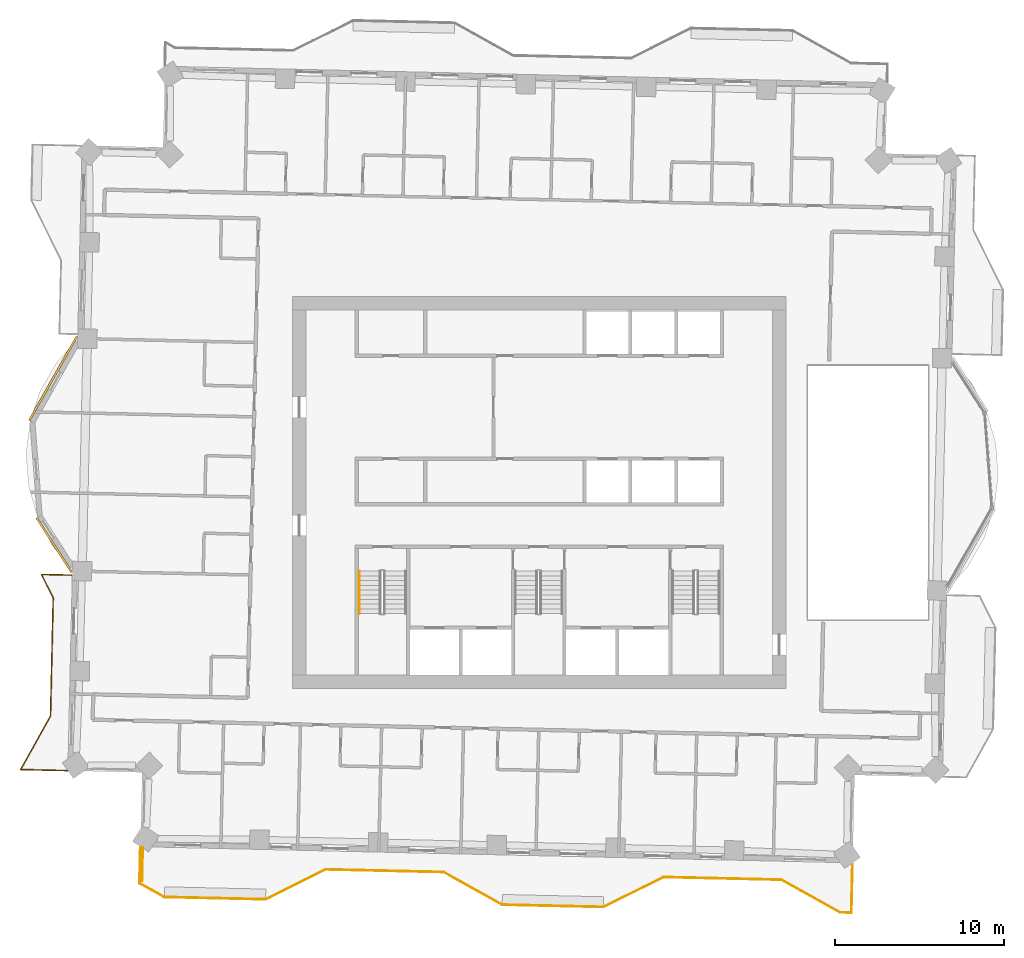
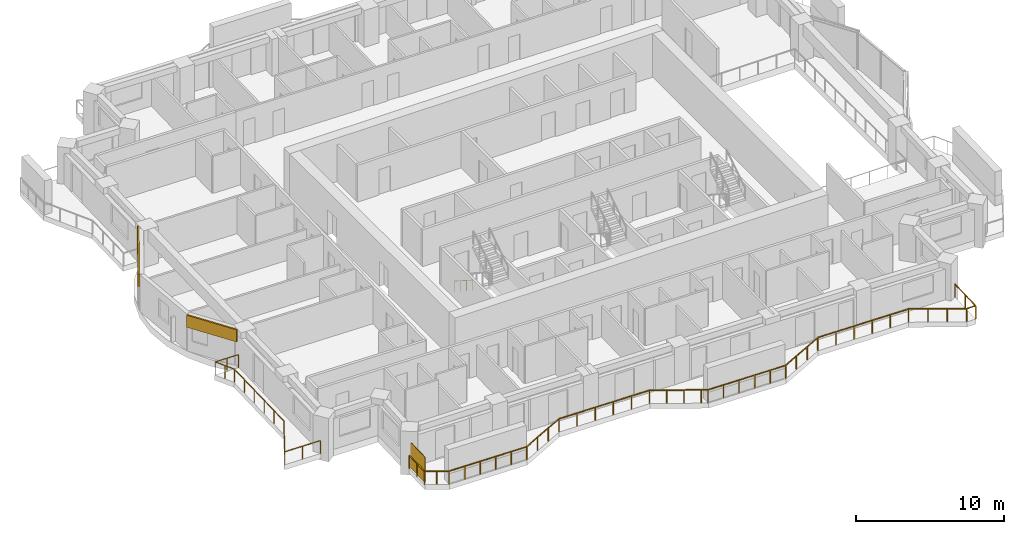
# One storey, part 11 of 14: 3 railings, 2 coverings, 1 shading device.
"""IFC4 building model written with IfcOpenShell, lengths in metres."""

import ifcopenshell
import ifcopenshell.guid

model = None  # the IFC model being written
_history = None  # IfcOwnerHistory: only IFC2X3 demands one
_inside = {}  # id of a spatial element -> (the spatial element, [elements in it])
_under = {}  # id of a project, library or spatial element -> (it, [spatial elements below it])
_declared = {}  # id of a project -> (the project, [libraries it declares])
_typed = {}  # id of a type object -> (the type object, [elements of that type])
_made_of = {}  # id of a material, layer set ... -> (it, [elements and type objects made of it])


def new_model(schema):
    """Start an empty IFC model of exactly this schema.

    Asked for "IFC4X3", IfcOpenShell would pick the latest addendum, in which some entities
    have other attributes; the version numbers below select the first issue.
    IFC2X3 requires an IfcOwnerHistory on every rooted entity: one is made here for all.
    """
    global model, _history
    if schema == "IFC4X3":
        model = ifcopenshell.file(schema_version=(4, 3, 0, 0))
    else:
        model = ifcopenshell.file(schema=schema)
    _inside.clear()
    _under.clear()
    _declared.clear()
    _typed.clear()
    _made_of.clear()
    _history = None
    if model.schema == "IFC2X3":
        org = make("IfcOrganization", Name="unknown")
        user = make(
            "IfcPersonAndOrganization",
            ThePerson=make("IfcPerson", FamilyName="unknown"),
            TheOrganization=org,
        )
        app = make(
            "IfcApplication",
            ApplicationDeveloper=org,
            Version="unknown",
            ApplicationFullName="unknown",
            ApplicationIdentifier="unknown",
        )
        _history = make(
            "IfcOwnerHistory",
            OwningUser=user,
            OwningApplication=app,
            ChangeAction="ADDED",
            CreationDate=0,
        )
    return model


def make(cls, **values):
    """One entity of the class cls with the attributes given. An attribute that is None is left unset."""
    return model.create_entity(
        cls, **{name: value for name, value in values.items() if value is not None}
    )


def rooted(cls, **values):
    """An entity with a GlobalId (a new one), such as an element, a storey or a relation."""
    return make(cls, GlobalId=ifcopenshell.guid.new(), OwnerHistory=_history, **values)


def si_unit(unit_type, name, prefix=None):
    """IfcSIUnit, for example si_unit("LENGTHUNIT", "METRE", prefix="MILLI")."""
    return make("IfcSIUnit", UnitType=unit_type, Prefix=prefix, Name=name)


def assignment(units):
    """IfcUnitAssignment: the units of a project."""
    return None if units is None else make("IfcUnitAssignment", Units=units)


def point(xyz):
    """IfcCartesianPoint."""
    return None if xyz is None else make("IfcCartesianPoint", Coordinates=xyz)


def direction(xyz):
    """IfcDirection."""
    return None if xyz is None else make("IfcDirection", DirectionRatios=xyz)


def frame(location, z_axis=None, x_axis=None):
    """IfcAxis2Placement3D, a coordinate frame: its origin and axes. An axis left out is left unset."""
    return make(
        "IfcAxis2Placement3D",
        Location=point(location),
        Axis=direction(z_axis),
        RefDirection=direction(x_axis),
    )


def frame_2d(location, x_axis=None):
    """IfcAxis2Placement2D, a coordinate frame in the plane: its origin and x axis."""
    return make(
        "IfcAxis2Placement2D", Location=point(location), RefDirection=direction(x_axis)
    )


def origin():
    """The frame at (0, 0, 0) with its axes left unset."""
    return frame((0.0, 0.0, 0.0))


def origin_2d():
    """The frame at (0, 0) in the plane with its x axis left unset."""
    return frame_2d((0.0, 0.0))


def place(relative_to, where):
    """IfcLocalPlacement: puts the frame where relative to a parent placement (None: the world)."""
    return make(
        "IfcLocalPlacement", PlacementRelTo=relative_to, RelativePlacement=where
    )


def context(
    kind, dimensions, precision=None, world=None, true_north=None, identifier=None
):
    """IfcGeometricRepresentationContext, for example the 3D "Model" context."""
    return make(
        "IfcGeometricRepresentationContext",
        ContextIdentifier=identifier,
        ContextType=kind,
        CoordinateSpaceDimension=dimensions,
        Precision=precision,
        WorldCoordinateSystem=world,
        TrueNorth=true_north,
    )


def subcontext(parent, identifier, kind, view, scale=None):
    """IfcGeometricRepresentationSubContext, for example "Body" below "Model"."""
    return make(
        "IfcGeometricRepresentationSubContext",
        ContextIdentifier=identifier,
        ContextType=kind,
        ParentContext=parent,
        TargetScale=scale,
        TargetView=view,
    )


def project(units=None, contexts=None):
    """IfcProject with its units and contexts."""
    return rooted(
        "IfcProject",
        Name="project",
        RepresentationContexts=contexts,
        UnitsInContext=assignment(units),
    )


def spatial(cls, under=None, at=None, **own):
    """A site, building, storey or space (cls), placed at a placement, below another one or the project."""
    s = rooted(cls, ObjectPlacement=at, **own)
    if under is not None:
        _under.setdefault(under.id(), (under, []))[1].append(s)
    return s


def profile(cls, at=None, kind="AREA", **sizes):
    """A parametric profile (cls). Its sizes go by their IFC names, for example OverallWidth=200.0."""
    return make(cls, ProfileType=kind, Position=at, **sizes)


def rectangle(**sizes):
    """IfcRectangleProfileDef."""
    return profile("IfcRectangleProfileDef", **sizes)


def circle(**sizes):
    """IfcCircleProfileDef."""
    return profile("IfcCircleProfileDef", **sizes)


def extrude(swept, where, along, depth):
    """IfcExtrudedAreaSolid: the profile swept, set in the frame where, extruded along a direction by depth."""
    return make(
        "IfcExtrudedAreaSolid",
        SweptArea=swept,
        Position=where,
        ExtrudedDirection=direction(along),
        Depth=depth,
    )


def shape(context_of_items, identifier, shape_type, items):
    """IfcShapeRepresentation: the items that make up one representation, for example the "Body"."""
    return make(
        "IfcShapeRepresentation",
        ContextOfItems=context_of_items,
        RepresentationIdentifier=identifier,
        RepresentationType=shape_type,
        Items=items,
    )


def material(Name=None, Category=None):
    """IfcMaterial."""
    return make("IfcMaterial", Name=Name, Category=Category)


def layer(
    of_material, thickness, ventilated=None, Name=None, Category=None, Priority=None
):
    """IfcMaterialLayer: one layer of a wall or slab, of a material (None: an air gap)."""
    return make(
        "IfcMaterialLayer",
        Material=of_material,
        LayerThickness=thickness,
        IsVentilated=ventilated,
        Name=Name,
        Category=Category,
        Priority=Priority,
    )


def layer_set(layers, Name=None):
    """IfcMaterialLayerSet."""
    return make("IfcMaterialLayerSet", MaterialLayers=layers, LayerSetName=Name)


def made_of(thing, what):
    """Note that an element or type object is made of a material, layer set ...; save() writes the relation."""
    if what is not None:
        _made_of.setdefault(what.id(), (what, []))[1].append(thing)
    return thing


def type_object(cls, material=None, **own):
    """A type object (cls), such as IfcWallType, which elements share."""
    return made_of(rooted(cls, **own), material)


def element(
    cls,
    number,
    at=None,
    inside=None,
    cuts=None,
    type_object=None,
    material=None,
    context=None,
    identifier="Body",
    shape_type=None,
    held_by="IfcProductDefinitionShape",
    body=None,
    shapes=None,
    **own,
):
    """One element of the class cls, such as IfcWall. Its Tag is "e" and its number.

    at: its placement. inside: the storey or other place that contains it. cuts: it is an
    opening in that element (IfcRelVoidsElement). A single representation is given by context,
    identifier, shape_type and body (its items); several are given by shapes. held_by: the class
    of the entity that holds the representations. save() writes the other relations.
    """
    e = rooted(cls, Tag="e%d" % number, ObjectPlacement=at, **own)
    if body is not None:
        shapes = [shape(context, identifier, shape_type, body)]
    if shapes is not None:
        e.Representation = make(held_by, Representations=shapes)
    if inside is not None:
        _inside.setdefault(inside.id(), (inside, []))[1].append(e)
    if cuts is not None:
        rooted(
            "IfcRelVoidsElement", RelatingBuildingElement=cuts, RelatedOpeningElement=e
        )
    if type_object is not None:
        _typed.setdefault(type_object.id(), (type_object, []))[1].append(e)
    return made_of(e, material)


def aggregate(whole, parts):
    """IfcRelAggregates: a whole, such as a stair, and the parts it consists of."""
    return rooted("IfcRelAggregates", RelatingObject=whole, RelatedObjects=parts)


def save(model, path):
    """Write the relations noted so far, then the file.

    IfcRelAggregates (storeys below a building ...), IfcRelContainedInSpatialStructure (elements
    in a storey), IfcRelDefinesByType, IfcRelAssociatesMaterial and IfcRelDeclares: one each for
    every whole, place, type object, material and project.
    """
    for whole, parts in _under.values():
        aggregate(whole, parts)
    for where, things in _inside.values():
        rooted(
            "IfcRelContainedInSpatialStructure",
            RelatedElements=things,
            RelatingStructure=where,
        )
    for kind, things in _typed.values():
        rooted("IfcRelDefinesByType", RelatedObjects=things, RelatingType=kind)
    for what, things in _made_of.values():
        rooted("IfcRelAssociatesMaterial", RelatedObjects=things, RelatingMaterial=what)
    for by, libraries in _declared.values():
        rooted("IfcRelDeclares", RelatingContext=by, RelatedDefinitions=libraries)
    model.write(path)


model = new_model("IFC4")

# Units and contexts
model_context = context("Model", 3, precision=1e-05, world=origin(), true_north=direction((0.0, 1.0)))
body_context = subcontext(model_context, "Body", "Model", "MODEL_VIEW")
ifc_project = project(units=[si_unit("LENGTHUNIT", "METRE"), si_unit("AREAUNIT", "SQUARE_METRE"), si_unit("VOLUMEUNIT", "CUBIC_METRE"), si_unit("PLANEANGLEUNIT", "RADIAN"), si_unit("MASSUNIT", "GRAM", prefix="KILO")], contexts=[model_context])

# Site, building, storey
site_placement = place(None, origin())
site = spatial("IfcSite", under=ifc_project, at=site_placement, CompositionType="ELEMENT")
building_placement = place(site_placement, origin())
building = spatial("IfcBuilding", under=site, at=building_placement, Name="Mangrove Gate Tower", CompositionType="ELEMENT")
storey_placement = place(building_placement, frame((0.0, 0.0, 205.10009765625)))
storey = spatial("IfcBuildingStorey", under=building, at=storey_placement, Name="L52", CompositionType="ELEMENT", Elevation=205.10009765625)

# Railings
ifc_material_1 = material(Name="Stainless steel grade 316 with laminated glass infill", Category="steel")
railing_type_1 = type_object("IfcRailingType", Name="Balcony guard 1100", PredefinedType="GUARDRAIL", material=ifc_material_1)
railing_1_placement = place(storey_placement, frame((-27.6669921875, -4.885986328125, 0.0)))
element("IfcRailing", 1, at=railing_1_placement, inside=storey, type_object=railing_type_1, Name="GUARD L52 W2", PredefinedType="GUARDRAIL", context=body_context, shape_type="SweptSolid", body=[
    extrude(rectangle(XDim=0.048095703125, YDim=0.048095703125, at=origin_2d()), frame((0.0, 0.0, 1.076171875), z_axis=(-0.999736374059, 0.02296045261, 0.0), x_axis=(-0.02296045261, -0.999736374059, 0.0)), (0.0, 0.0, 1.0), 1.786376953125),
    extrude(rectangle(XDim=0.048095703125, YDim=0.048095703125, at=origin_2d()), frame((-1.785888671875, 0.041015625, 1.076171875), z_axis=(0.44683674338, -0.894615517843, 0.0), x_axis=(0.894615517843, 0.44683674338, 0.0)), (0.0, 0.0, 1.0), 1.554931640625),
    extrude(rectangle(XDim=0.048095703125, YDim=0.048095703125, at=origin_2d()), frame((-1.091064453125, -1.35009765625, 1.076171875), z_axis=(-0.022706351659, -0.999742177561, 0.0), x_axis=(0.999742177561, -0.022706351659, 0.0)), (0.0, 0.0, 1.0), 6.99951171875),
    extrude(rectangle(XDim=0.048095703125, YDim=0.048095703125, at=origin_2d()), frame((-1.25, -8.347900390625, 1.076171875), z_axis=(-0.487068314529, -0.873363874328, 0.0), x_axis=(0.873363874328, -0.487068314529, 0.0)), (0.0, 0.0, 1.0), 3.619384765625),
    extrude(rectangle(XDim=0.048095703125, YDim=0.048095703125, at=origin_2d()), frame((-3.012939453125, -11.509033203125, 1.076171875), z_axis=(0.999745852076, -0.022543984946, 0.0), x_axis=(0.022543984946, 0.999745852076, 0.0)), (0.0, 0.0, 1.0), 2.750732421875),
    extrude(rectangle(XDim=0.0419921875, YDim=0.0419921875, at=origin_2d()), origin(), (0.0, 0.0, 1.0), 1.052001953125),
    extrude(rectangle(XDim=0.0419921875, YDim=0.0419921875, at=origin_2d()), frame((-0.89306640625, 0.0205078125, 0.0)), (0.0, 0.0, 1.0), 1.052001953125),
    extrude(rectangle(XDim=0.0419921875, YDim=0.0419921875, at=origin_2d()), frame((-1.785888671875, 0.041015625, 0.0)), (0.0, 0.0, 1.0), 1.052001953125),
    extrude(rectangle(XDim=0.0419921875, YDim=0.0419921875, at=origin_2d()), frame((-1.4384765625, -0.654541015625, 0.0)), (0.0, 0.0, 1.0), 1.052001953125),
    extrude(rectangle(XDim=0.0419921875, YDim=0.0419921875, at=origin_2d()), frame((-1.091064453125, -1.35009765625, 0.0)), (0.0, 0.0, 1.0), 1.052001953125),
    extrude(rectangle(XDim=0.0419921875, YDim=0.0419921875, at=origin_2d()), frame((-1.122802734375, -2.749755859375, 0.0)), (0.0, 0.0, 1.0), 1.052001953125),
    extrude(rectangle(XDim=0.0419921875, YDim=0.0419921875, at=origin_2d()), frame((-1.154541015625, -4.149169921875, 0.0)), (0.0, 0.0, 1.0), 1.052001953125),
    extrude(rectangle(XDim=0.0419921875, YDim=0.0419921875, at=origin_2d()), frame((-1.1865234375, -5.548828125, 0.0)), (0.0, 0.0, 1.0), 1.052001953125),
    extrude(rectangle(XDim=0.0419921875, YDim=0.0419921875, at=origin_2d()), frame((-1.21826171875, -6.9482421875, 0.0)), (0.0, 0.0, 1.0), 1.052001953125),
    extrude(rectangle(XDim=0.0419921875, YDim=0.0419921875, at=origin_2d()), frame((-1.25, -8.347900390625, 0.0)), (0.0, 0.0, 1.0), 1.052001953125),
    extrude(rectangle(XDim=0.0419921875, YDim=0.0419921875, at=origin_2d()), frame((-1.837646484375, -9.401611328125, 0.0)), (0.0, 0.0, 1.0), 1.052001953125),
    extrude(rectangle(XDim=0.0419921875, YDim=0.0419921875, at=origin_2d()), frame((-2.42529296875, -10.455322265625, 0.0)), (0.0, 0.0, 1.0), 1.052001953125),
    extrude(rectangle(XDim=0.0419921875, YDim=0.0419921875, at=origin_2d()), frame((-3.012939453125, -11.509033203125, 0.0)), (0.0, 0.0, 1.0), 1.052001953125),
    extrude(rectangle(XDim=0.0419921875, YDim=0.0419921875, at=origin_2d()), frame((-1.637939453125, -11.5400390625, 0.0)), (0.0, 0.0, 1.0), 1.052001953125),
    extrude(rectangle(XDim=0.0419921875, YDim=0.0419921875, at=origin_2d()), frame((-0.262939453125, -11.571044921875, 0.0)), (0.0, 0.0, 1.0), 1.052001953125),
])
railing_2_placement = place(storey_placement, frame((-23.592041015625, -20.9970703125, 0.0)))
element("IfcRailing", 2, at=railing_2_placement, inside=storey, type_object=railing_type_1, Name="GUARD L52 S1", PredefinedType="GUARDRAIL", context=body_context, shape_type="SweptSolid", body=[
    extrude(rectangle(XDim=0.048095703125, YDim=0.048095703125, at=origin_2d()), frame((0.0, 0.0, 1.076171875), z_axis=(-0.022450801787, -0.999747948985, 0.0), x_axis=(0.999747948985, -0.022450801787, 0.0)), (0.0, 0.0, 1.0), 2.13134765625),
    extrude(rectangle(XDim=0.048095703125, YDim=0.048095703125, at=origin_2d()), frame((-0.0478515625, -2.130859375, 1.076171875), z_axis=(0.873055469417, -0.487620905337, 0.0), x_axis=(0.487620905337, 0.873055469417, 0.0)), (0.0, 0.0, 1.0), 1.665283203125),
    extrude(rectangle(XDim=0.048095703125, YDim=0.048095703125, at=origin_2d()), frame((1.406005859375, -2.94287109375, 1.076171875), z_axis=(0.999743178102, -0.022662255828, 0.0), x_axis=(0.022662255828, 0.999743178102, 0.0)), (0.0, 0.0, 1.0), 6.00048828125),
    extrude(rectangle(XDim=0.048095703125, YDim=0.048095703125, at=origin_2d()), frame((7.405029296875, -3.078857421875, 1.076171875), z_axis=(0.894476522376, 0.447114919141, 0.0), x_axis=(-0.447114919141, 0.894476522376, 0.0)), (0.0, 0.0, 1.0), 3.958740234375),
    extrude(rectangle(XDim=0.048095703125, YDim=0.048095703125, at=origin_2d()), frame((10.946044921875, -1.308837890625, 1.076171875), z_axis=(0.999744565238, -0.022600979566, 0.0), x_axis=(0.022600979566, 0.999744565238, 0.0)), (0.0, 0.0, 1.0), 6.999755859375),
    extrude(rectangle(XDim=0.048095703125, YDim=0.048095703125, at=origin_2d()), frame((17.944091796875, -1.467041015625, 1.076171875), z_axis=(0.873203214325, -0.487356282911, 0.0), x_axis=(0.487356282911, 0.873203214325, 0.0)), (0.0, 0.0, 1.0), 3.506591796875),
    extrude(rectangle(XDim=0.048095703125, YDim=0.048095703125, at=origin_2d()), frame((21.006103515625, -3.176025390625, 1.076171875), z_axis=(0.873672905931, -0.486513775182, 0.0), x_axis=(0.486513775182, 0.873672905931, 0.0)), (0.0, 0.0, 1.0), 0.4521484375),
    extrude(rectangle(XDim=0.048095703125, YDim=0.048095703125, at=origin_2d()), frame((21.401123046875, -3.39599609375, 1.076171875), z_axis=(0.999743178102, -0.022662255828, 0.0), x_axis=(0.022662255828, 0.999743178102, 0.0)), (0.0, 0.0, 1.0), 6.00048828125),
    extrude(rectangle(XDim=0.048095703125, YDim=0.048095703125, at=origin_2d()), frame((27.400146484375, -3.531982421875, 1.076171875), z_axis=(0.894476522376, 0.447114919141, 0.0), x_axis=(-0.447114919141, 0.894476522376, 0.0)), (0.0, 0.0, 1.0), 3.958740234375),
    extrude(rectangle(XDim=0.048095703125, YDim=0.048095703125, at=origin_2d()), frame((30.941162109375, -1.761962890625, 1.076171875), z_axis=(0.999742177561, -0.022706351659, 0.0), x_axis=(0.022706351659, 0.999742177561, 0.0)), (0.0, 0.0, 1.0), 6.99951171875),
    extrude(rectangle(XDim=0.048095703125, YDim=0.048095703125, at=origin_2d()), frame((37.93896484375, -1.9208984375, 1.076171875), z_axis=(0.87325689943, -0.48726008209, 0.0), x_axis=(0.48726008209, 0.87325689943, 0.0)), (0.0, 0.0, 1.0), 3.958740234375),
    extrude(rectangle(XDim=0.048095703125, YDim=0.048095703125, at=origin_2d()), frame((41.39599609375, -3.849853515625, 1.076171875), z_axis=(0.999746501265, -0.02251517729, 0.0), x_axis=(0.02251517729, 0.999746501265, 0.0)), (0.0, 0.0, 1.0), 0.67236328125),
    extrude(rectangle(XDim=0.048095703125, YDim=0.048095703125, at=origin_2d()), frame((42.068115234375, -3.864990234375, 1.076171875), z_axis=(0.022652795902, 0.999743392495, 0.0), x_axis=(-0.999743392495, 0.022652795902, 0.0)), (0.0, 0.0, 1.0), 2.909912109375),
    extrude(rectangle(XDim=0.0419921875, YDim=0.0419921875, at=origin_2d()), origin(), (0.0, 0.0, 1.0), 1.052001953125),
    extrude(rectangle(XDim=0.0419921875, YDim=0.0419921875, at=origin_2d()), frame((-0.02392578125, -1.0654296875, 0.0)), (0.0, 0.0, 1.0), 1.052001953125),
    extrude(rectangle(XDim=0.0419921875, YDim=0.0419921875, at=origin_2d()), frame((-0.0478515625, -2.130859375, 0.0)), (0.0, 0.0, 1.0), 1.052001953125),
    extrude(rectangle(XDim=0.0419921875, YDim=0.0419921875, at=origin_2d()), frame((0.67919921875, -2.536865234375, 0.0)), (0.0, 0.0, 1.0), 1.052001953125),
    extrude(rectangle(XDim=0.0419921875, YDim=0.0419921875, at=origin_2d()), frame((1.406005859375, -2.94287109375, 0.0)), (0.0, 0.0, 1.0), 1.052001953125),
    extrude(rectangle(XDim=0.0419921875, YDim=0.0419921875, at=origin_2d()), frame((2.605712890625, -2.969970703125, 0.0)), (0.0, 0.0, 1.0), 1.052001953125),
    extrude(rectangle(XDim=0.0419921875, YDim=0.0419921875, at=origin_2d()), frame((3.8056640625, -2.997314453125, 0.0)), (0.0, 0.0, 1.0), 1.052001953125),
    extrude(rectangle(XDim=0.0419921875, YDim=0.0419921875, at=origin_2d()), frame((5.00537109375, -3.0244140625, 0.0)), (0.0, 0.0, 1.0), 1.052001953125),
    extrude(rectangle(XDim=0.0419921875, YDim=0.0419921875, at=origin_2d()), frame((6.205322265625, -3.0517578125, 0.0)), (0.0, 0.0, 1.0), 1.052001953125),
    extrude(rectangle(XDim=0.0419921875, YDim=0.0419921875, at=origin_2d()), frame((7.405029296875, -3.078857421875, 0.0)), (0.0, 0.0, 1.0), 1.052001953125),
    extrude(rectangle(XDim=0.0419921875, YDim=0.0419921875, at=origin_2d()), frame((8.58544921875, -2.48876953125, 0.0)), (0.0, 0.0, 1.0), 1.052001953125),
    extrude(rectangle(XDim=0.0419921875, YDim=0.0419921875, at=origin_2d()), frame((9.765625, -1.89892578125, 0.0)), (0.0, 0.0, 1.0), 1.052001953125),
    extrude(rectangle(XDim=0.0419921875, YDim=0.0419921875, at=origin_2d()), frame((10.946044921875, -1.308837890625, 0.0)), (0.0, 0.0, 1.0), 1.052001953125),
    extrude(rectangle(XDim=0.0419921875, YDim=0.0419921875, at=origin_2d()), frame((12.345703125, -1.340576171875, 0.0)), (0.0, 0.0, 1.0), 1.052001953125),
    extrude(rectangle(XDim=0.0419921875, YDim=0.0419921875, at=origin_2d()), frame((13.745361328125, -1.3720703125, 0.0)), (0.0, 0.0, 1.0), 1.052001953125),
    extrude(rectangle(XDim=0.0419921875, YDim=0.0419921875, at=origin_2d()), frame((15.144775390625, -1.40380859375, 0.0)), (0.0, 0.0, 1.0), 1.052001953125),
    extrude(rectangle(XDim=0.0419921875, YDim=0.0419921875, at=origin_2d()), frame((16.54443359375, -1.435302734375, 0.0)), (0.0, 0.0, 1.0), 1.052001953125),
    extrude(rectangle(XDim=0.0419921875, YDim=0.0419921875, at=origin_2d()), frame((17.944091796875, -1.467041015625, 0.0)), (0.0, 0.0, 1.0), 1.052001953125),
    extrude(rectangle(XDim=0.0419921875, YDim=0.0419921875, at=origin_2d()), frame((18.96484375, -2.03662109375, 0.0)), (0.0, 0.0, 1.0), 1.052001953125),
    extrude(rectangle(XDim=0.0419921875, YDim=0.0419921875, at=origin_2d()), frame((19.9853515625, -2.6064453125, 0.0)), (0.0, 0.0, 1.0), 1.052001953125),
    extrude(rectangle(XDim=0.0419921875, YDim=0.0419921875, at=origin_2d()), frame((21.006103515625, -3.176025390625, 0.0)), (0.0, 0.0, 1.0), 1.052001953125),
    extrude(rectangle(XDim=0.0419921875, YDim=0.0419921875, at=origin_2d()), frame((21.401123046875, -3.39599609375, 0.0)), (0.0, 0.0, 1.0), 1.052001953125),
    extrude(rectangle(XDim=0.0419921875, YDim=0.0419921875, at=origin_2d()), frame((22.600830078125, -3.423095703125, 0.0)), (0.0, 0.0, 1.0), 1.052001953125),
    extrude(rectangle(XDim=0.0419921875, YDim=0.0419921875, at=origin_2d()), frame((23.80078125, -3.450439453125, 0.0)), (0.0, 0.0, 1.0), 1.052001953125),
    extrude(rectangle(XDim=0.0419921875, YDim=0.0419921875, at=origin_2d()), frame((25.00048828125, -3.4775390625, 0.0)), (0.0, 0.0, 1.0), 1.052001953125),
    extrude(rectangle(XDim=0.0419921875, YDim=0.0419921875, at=origin_2d()), frame((26.200439453125, -3.5048828125, 0.0)), (0.0, 0.0, 1.0), 1.052001953125),
    extrude(rectangle(XDim=0.0419921875, YDim=0.0419921875, at=origin_2d()), frame((27.400146484375, -3.531982421875, 0.0)), (0.0, 0.0, 1.0), 1.052001953125),
    extrude(rectangle(XDim=0.0419921875, YDim=0.0419921875, at=origin_2d()), frame((28.58056640625, -2.94189453125, 0.0)), (0.0, 0.0, 1.0), 1.052001953125),
    extrude(rectangle(XDim=0.0419921875, YDim=0.0419921875, at=origin_2d()), frame((29.7607421875, -2.35205078125, 0.0)), (0.0, 0.0, 1.0), 1.052001953125),
    extrude(rectangle(XDim=0.0419921875, YDim=0.0419921875, at=origin_2d()), frame((30.941162109375, -1.761962890625, 0.0)), (0.0, 0.0, 1.0), 1.052001953125),
    extrude(rectangle(XDim=0.0419921875, YDim=0.0419921875, at=origin_2d()), frame((32.3408203125, -1.793701171875, 0.0)), (0.0, 0.0, 1.0), 1.052001953125),
    extrude(rectangle(XDim=0.0419921875, YDim=0.0419921875, at=origin_2d()), frame((33.740234375, -1.825439453125, 0.0)), (0.0, 0.0, 1.0), 1.052001953125),
    extrude(rectangle(XDim=0.0419921875, YDim=0.0419921875, at=origin_2d()), frame((35.139892578125, -1.857421875, 0.0)), (0.0, 0.0, 1.0), 1.052001953125),
    extrude(rectangle(XDim=0.0419921875, YDim=0.0419921875, at=origin_2d()), frame((36.539306640625, -1.88916015625, 0.0)), (0.0, 0.0, 1.0), 1.052001953125),
    extrude(rectangle(XDim=0.0419921875, YDim=0.0419921875, at=origin_2d()), frame((37.93896484375, -1.9208984375, 0.0)), (0.0, 0.0, 1.0), 1.052001953125),
    extrude(rectangle(XDim=0.0419921875, YDim=0.0419921875, at=origin_2d()), frame((39.09130859375, -2.56396484375, 0.0)), (0.0, 0.0, 1.0), 1.052001953125),
    extrude(rectangle(XDim=0.0419921875, YDim=0.0419921875, at=origin_2d()), frame((40.24365234375, -3.206787109375, 0.0)), (0.0, 0.0, 1.0), 1.052001953125),
    extrude(rectangle(XDim=0.0419921875, YDim=0.0419921875, at=origin_2d()), frame((41.39599609375, -3.849853515625, 0.0)), (0.0, 0.0, 1.0), 1.052001953125),
    extrude(rectangle(XDim=0.0419921875, YDim=0.0419921875, at=origin_2d()), frame((42.068115234375, -3.864990234375, 0.0)), (0.0, 0.0, 1.0), 1.052001953125),
    extrude(rectangle(XDim=0.0419921875, YDim=0.0419921875, at=origin_2d()), frame((42.10107421875, -2.410400390625, 0.0)), (0.0, 0.0, 1.0), 1.052001953125),
    extrude(rectangle(XDim=0.0419921875, YDim=0.0419921875, at=origin_2d()), frame((42.134033203125, -0.955810546875, 0.0)), (0.0, 0.0, 1.0), 1.052001953125),
])

# Shading device
ifc_material_2 = material(Name="Timber slat screen in teak", Category="wood")
shading_device_type = type_object("IfcShadingDeviceType", Name="Balcony screen 2100", PredefinedType="USERDEFINED", material=ifc_material_2)
shading_device_placement = place(storey_placement, frame((-23.47412109375, -21.986083984375, -0.000244140625), z_axis=(0.0, 0.0, 1.0), x_axis=(-0.022600089485, -0.999744585359, 0.0)))
element("IfcShadingDevice", 3, at=shading_device_placement, inside=storey, type_object=shading_device_type, Name="SCREEN L52 S0", ObjectType="SCREEN", PredefinedType="USERDEFINED", context=body_context, shape_type="SweptSolid", body=[
    extrude(rectangle(XDim=2.011962890625, YDim=0.050048828125, at=origin_2d()), origin(), (0.0, 0.0, 1.0), 2.10009765625),
])

# Railing
ifc_material_3 = material(Name="Stainless steel 316", Category="steel")
railing_type_2 = type_object("IfcRailingType", Name="Core stair handrail 900", PredefinedType="HANDRAIL", material=ifc_material_3)
railing_3_placement = place(storey_placement, frame((-10.64990234375, -4.64990234375, 0.179931640625)))
element("IfcRailing", 4, at=railing_3_placement, inside=storey, type_object=railing_type_2, Name="L52 ST1 stair handrail 1", PredefinedType="HANDRAIL", context=body_context, shape_type="SweptSolid", body=[
    extrude(circle(Radius=0.02392578125, at=origin_2d()), frame((0.0, 0.0, 0.8759765625), z_axis=(0.0, -0.841199657755, 0.540724639528), x_axis=(1.0, 0.0, 0.0)), (0.0, 0.0, 1.0), 2.995849609375),
    extrude(circle(Radius=0.02099609375, at=origin_2d()), origin(), (0.0, 0.0, 1.0), 0.851806640625),
    extrude(circle(Radius=0.02099609375, at=origin_2d()), frame((0.0, -0.840087890625, 0.5400390625)), (0.0, 0.0, 1.0), 0.851806640625),
    extrude(circle(Radius=0.02099609375, at=origin_2d()), frame((0.0, -1.679931640625, 1.079833984375)), (0.0, 0.0, 1.0), 0.851806640625),
    extrude(circle(Radius=0.02099609375, at=origin_2d()), frame((0.0, -2.52001953125, 1.619873046875)), (0.0, 0.0, 1.0), 0.851806640625),
])

# Coverings
ifc_material_4 = material(Name="Limestone", Category="masonry")
ifc_layer_1 = layer(ifc_material_4, 0.0400390625, Name="Limestone cladding")
ifc_material_5 = material(Name="Stainless steel anchors and cavity", Category="steel")
ifc_layer_2 = layer(ifc_material_5, 0.080078125, Name="Fixing cavity")
ifc_layer_set = layer_set([ifc_layer_1, ifc_layer_2], Name="Joint fascia cladding 120")
covering_type = type_object("IfcCoveringType", Name="Joint fascia cladding 120", PredefinedType="CLADDING", material=ifc_layer_set)
covering_1_placement = place(storey_placement, frame((-27.35693359375, 9.236572265625, 2.0498046875), z_axis=(0.0, 0.0, 1.0), x_axis=(-0.492512614445, -0.870305305403, 0.0)))
element("IfcCovering", 5, at=covering_1_placement, inside=storey, type_object=covering_type, Name="STONE FASCIA L52 W9.L1", PredefinedType="CLADDING", context=body_context, shape_type="SweptSolid", body=[
    extrude(rectangle(XDim=5.70556640625, YDim=0.1201171875, at=frame_2d((2.852783203125, 0.0))), origin(), (0.0, 0.0, 1.0), 1.0),
])
covering_2_placement = place(storey_placement, frame((-29.73095703125, -1.501953125, 2.0498046875), z_axis=(0.0, 0.0, 1.0), x_axis=(0.540340805768, -0.841446263063, 0.0)))
element("IfcCovering", 6, at=covering_2_placement, inside=storey, type_object=covering_type, Name="STONE FASCIA L52 W9.L2", PredefinedType="CLADDING", context=body_context, shape_type="SweptSolid", body=[
    extrude(rectangle(XDim=3.81982421875, YDim=0.1201171875, at=frame_2d((1.909912109375, 0.0))), origin(), (0.0, 0.0, 1.0), 1.0),
])

save(model, "model.ifc")
